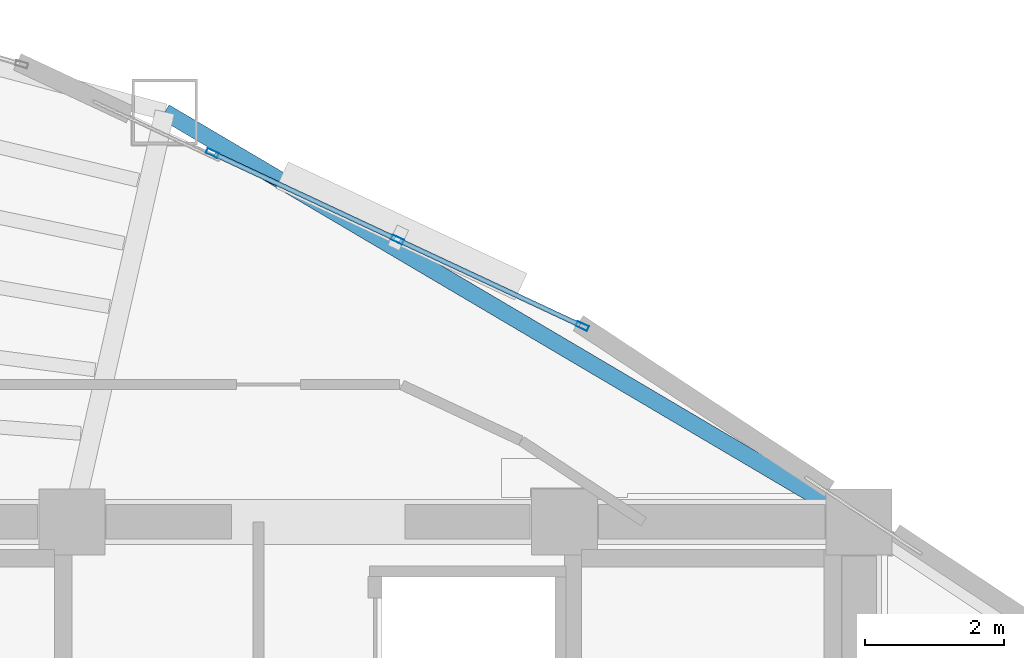
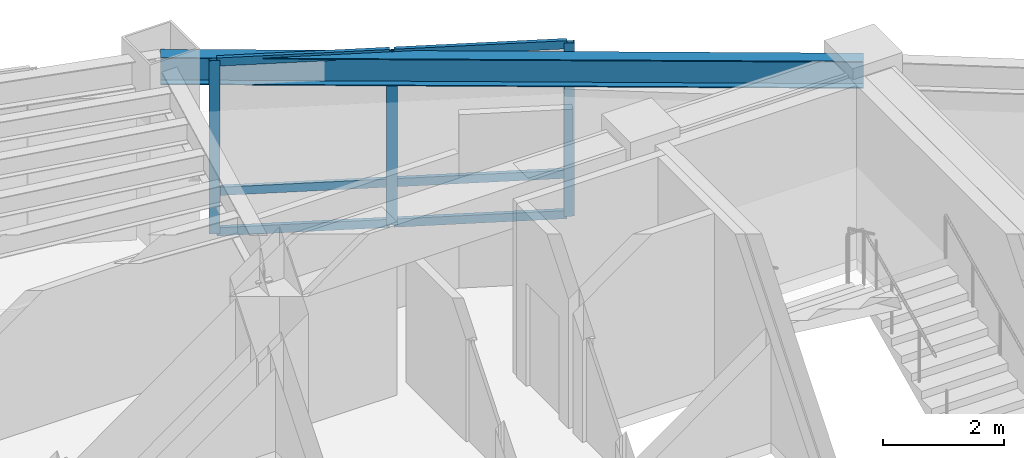
# One storey, part 8 of 16: 9 members, 1 beam, 1 element without a shape of its own.
"""IFC4 building model written with IfcOpenShell, lengths in metres."""

from ifc_helpers import new_model, si_unit, direction, frame, origin, origin_2d, place, context, subcontext, project, spatial, hollow_rectangle, i_section, extrude, material, layer, layer_set, material_profile, profile_set, type_object, element, aggregate, save


model = new_model("IFC4")

# Units and contexts
model_context = context("Model", 3, precision=1e-05, world=origin(), true_north=direction((0.0, 1.0)))
body_context = subcontext(model_context, "Body", "Model", "MODEL_VIEW")
ifc_project = project(units=[si_unit("LENGTHUNIT", "METRE"), si_unit("AREAUNIT", "SQUARE_METRE"), si_unit("VOLUMEUNIT", "CUBIC_METRE"), si_unit("PLANEANGLEUNIT", "RADIAN"), si_unit("MASSUNIT", "GRAM", prefix="KILO")], contexts=[model_context])

# Site, building, storey
site_placement = place(None, origin())
site = spatial("IfcSite", under=ifc_project, at=site_placement, CompositionType="ELEMENT")
building_placement = place(site_placement, origin())
building = spatial("IfcBuilding", under=site, at=building_placement, Name="Menara Vayukalpa", CompositionType="ELEMENT")
storey_placement = place(building_placement, frame((0.0, 0.0, 198.9599609375)))
storey = spatial("IfcBuildingStorey", under=building, at=storey_placement, Name="L50", CompositionType="ELEMENT", Elevation=198.9599609375)

# Beam
ifc_material_1 = material(Name="Steel S355", Category="steel")
ifc_material_profile_1 = material_profile(ifc_material_1, i_section(OverallWidth=0.239990234375, OverallDepth=0.550048828125, WebThickness=0.010986328125, FlangeThickness=0.01904296875, at=origin_2d()), Name="WF 550x240x11x19")
ifc_profile_set_1 = profile_set([ifc_material_profile_1], Name="Steel S355")
beam_type = type_object("IfcBeamType", Name="BM-SP2", PredefinedType="SPANDREL", material=ifc_profile_set_1)
beam_placement = place(storey_placement, frame((33.39990234375, 26.800048828125, 3.22509765625), z_axis=(-0.861184403346, 0.508292655302, 0.0), x_axis=(-0.508292655302, -0.861184403346, 0.0)))
element("IfcBeam", 1, at=beam_placement, inside=storey, type_object=beam_type, Name="L50 Perimeter Spandrel Beam SP02", PredefinedType="SPANDREL", context=body_context, shape_type="SweptSolid", body=[
    extrude(i_section(OverallWidth=0.239990234375, OverallDepth=0.550048828125, WebThickness=0.010986328125, FlangeThickness=0.01904296875, at=origin_2d()), origin(), (0.0, 0.0, 1.0), 11.6240234375),
])

# Curtain wall, members
ifc_material_2 = material(Name="Anodised Terracotta Aluminium Alloy 6063-T6", Category="masonry")
ifc_layer = layer(ifc_material_2, 0.179931640625)
ifc_layer_set = layer_set([ifc_layer], Name="Anodised Terracotta Aluminium Alloy 6063-T6")
curtain_wall_type = type_object("IfcCurtainWallType", Name="CW-CW4", PredefinedType="USERDEFINED", material=ifc_layer_set)
curtain_wall_placement = place(storey_placement, origin())
curtain_wall = element("IfcCurtainWall", 2, at=curtain_wall_placement, inside=storey, type_object=curtain_wall_type, Name="L50 Sky Bar Cantilever Glazed Curtain Wall CW4 05", ObjectType="UNITISED", PredefinedType="USERDEFINED")
ifc_material_3 = material(Name="Anodised Terracotta Aluminium Alloy 6063-T6", Category="masonry")
ifc_material_profile_2 = material_profile(ifc_material_3, hollow_rectangle(XDim=0.074951171875, YDim=0.179931640625, WallThickness=0.00390625, at=origin_2d()), Name="ALU 75x180x4")
ifc_profile_set_2 = profile_set([ifc_material_profile_2], Name="Anodised Terracotta Aluminium Alloy 6063-T6")
member_type_1 = type_object("IfcMemberType", Name="CWM-CW4", PredefinedType="MULLION", material=ifc_profile_set_2)
member_1_placement = place(storey_placement, frame((29.408447265625, 29.62109375, 0.0), z_axis=(0.0, 0.0, 1.0), x_axis=(-0.423743699648, -0.90578213551, 0.0)))
member_1 = element("IfcMember", 3, at=member_1_placement, type_object=member_type_1, Name="CW4 mullion 1", PredefinedType="MULLION", context=body_context, shape_type="SweptSolid", body=[
    extrude(hollow_rectangle(XDim=0.074951171875, YDim=0.179931640625, WallThickness=0.00390625, at=origin_2d()), origin(), (0.0, 0.0, 1.0), 3.5),
])
member_2_placement = place(storey_placement, frame((26.741943359375, 30.868408203125, 0.0), z_axis=(0.0, 0.0, 1.0), x_axis=(-0.423743699648, -0.90578213551, 0.0)))
member_2 = element("IfcMember", 4, at=member_2_placement, type_object=member_type_1, Name="CW4 mullion 2", PredefinedType="MULLION", context=body_context, shape_type="SweptSolid", body=[
    extrude(hollow_rectangle(XDim=0.074951171875, YDim=0.179931640625, WallThickness=0.00390625, at=origin_2d()), origin(), (0.0, 0.0, 1.0), 3.5),
])
member_3_placement = place(storey_placement, frame((24.075439453125, 32.115966796875, 0.0), z_axis=(0.0, 0.0, 1.0), x_axis=(-0.423743699648, -0.90578213551, 0.0)))
member_3 = element("IfcMember", 5, at=member_3_placement, type_object=member_type_1, Name="CW4 mullion 3", PredefinedType="MULLION", context=body_context, shape_type="SweptSolid", body=[
    extrude(hollow_rectangle(XDim=0.074951171875, YDim=0.179931640625, WallThickness=0.00390625, at=origin_2d()), origin(), (0.0, 0.0, 1.0), 3.5),
])
ifc_material_4 = material(Name="Anodised Terracotta Aluminium Alloy 6063-T6", Category="masonry")
ifc_material_profile_3 = material_profile(ifc_material_4, hollow_rectangle(XDim=0.070068359375, YDim=0.1650390625, WallThickness=0.00390625, at=origin_2d()), Name="ALU 70x165x4")
ifc_profile_set_3 = profile_set([ifc_material_profile_3], Name="Anodised Terracotta Aluminium Alloy 6063-T6")
member_type_2 = type_object("IfcMemberType", Name="CWT-CW4", PredefinedType="USERDEFINED", material=ifc_profile_set_3)
member_4_placement = place(storey_placement, frame((29.37451171875, 29.636962890625, 0.03515625), z_axis=(-0.905797954054, 0.423709884746, 0.0), x_axis=(-0.423709884746, -0.905797954054, 0.0)))
member_4 = element("IfcMember", 6, at=member_4_placement, type_object=member_type_2, Name="CW4 transom 1.1", ObjectType="TRANSOM", PredefinedType="USERDEFINED", context=body_context, shape_type="SweptSolid", body=[
    extrude(hollow_rectangle(XDim=0.070068359375, YDim=0.1650390625, WallThickness=0.00390625, at=origin_2d()), origin(), (0.0, 0.0, 1.0), 2.868896484375),
])
member_5_placement = place(storey_placement, frame((29.37451171875, 29.636962890625, 0.85009765625), z_axis=(-0.905797954054, 0.423709884746, 0.0), x_axis=(-0.423709884746, -0.905797954054, 0.0)))
member_5 = element("IfcMember", 7, at=member_5_placement, type_object=member_type_2, Name="CW4 transom 1.2", ObjectType="TRANSOM", PredefinedType="USERDEFINED", context=body_context, shape_type="SweptSolid", body=[
    extrude(hollow_rectangle(XDim=0.070068359375, YDim=0.1650390625, WallThickness=0.00390625, at=origin_2d()), origin(), (0.0, 0.0, 1.0), 2.868896484375),
])
member_6_placement = place(storey_placement, frame((29.37451171875, 29.636962890625, 3.465087890625), z_axis=(-0.905797954054, 0.423709884746, 0.0), x_axis=(-0.423709884746, -0.905797954054, 0.0)))
member_6 = element("IfcMember", 8, at=member_6_placement, type_object=member_type_2, Name="CW4 transom 1.3", ObjectType="TRANSOM", PredefinedType="USERDEFINED", context=body_context, shape_type="SweptSolid", body=[
    extrude(hollow_rectangle(XDim=0.070068359375, YDim=0.1650390625, WallThickness=0.00390625, at=origin_2d()), origin(), (0.0, 0.0, 1.0), 2.868896484375),
])
member_7_placement = place(storey_placement, frame((26.7080078125, 30.88427734375, 0.03515625), z_axis=(-0.905765291772, 0.423779702464, 0.0), x_axis=(-0.423779702464, -0.905765291772, 0.0)))
member_7 = element("IfcMember", 9, at=member_7_placement, type_object=member_type_2, Name="CW4 transom 2.1", ObjectType="TRANSOM", PredefinedType="USERDEFINED", context=body_context, shape_type="SweptSolid", body=[
    extrude(hollow_rectangle(XDim=0.070068359375, YDim=0.1650390625, WallThickness=0.00390625, at=origin_2d()), origin(), (0.0, 0.0, 1.0), 2.868896484375),
])
member_8_placement = place(storey_placement, frame((26.7080078125, 30.88427734375, 0.85009765625), z_axis=(-0.905765291772, 0.423779702464, 0.0), x_axis=(-0.423779702464, -0.905765291772, 0.0)))
member_8 = element("IfcMember", 10, at=member_8_placement, type_object=member_type_2, Name="CW4 transom 2.2", ObjectType="TRANSOM", PredefinedType="USERDEFINED", context=body_context, shape_type="SweptSolid", body=[
    extrude(hollow_rectangle(XDim=0.070068359375, YDim=0.1650390625, WallThickness=0.00390625, at=origin_2d()), origin(), (0.0, 0.0, 1.0), 2.868896484375),
])
member_9_placement = place(storey_placement, frame((26.7080078125, 30.88427734375, 3.465087890625), z_axis=(-0.905765291772, 0.423779702464, 0.0), x_axis=(-0.423779702464, -0.905765291772, 0.0)))
member_9 = element("IfcMember", 11, at=member_9_placement, type_object=member_type_2, Name="CW4 transom 2.3", ObjectType="TRANSOM", PredefinedType="USERDEFINED", context=body_context, shape_type="SweptSolid", body=[
    extrude(hollow_rectangle(XDim=0.070068359375, YDim=0.1650390625, WallThickness=0.00390625, at=origin_2d()), origin(), (0.0, 0.0, 1.0), 2.868896484375),
])
aggregate(curtain_wall, [member_1, member_2, member_3, member_4, member_5, member_6, member_7, member_8, member_9])

save(model, "model.ifc")
